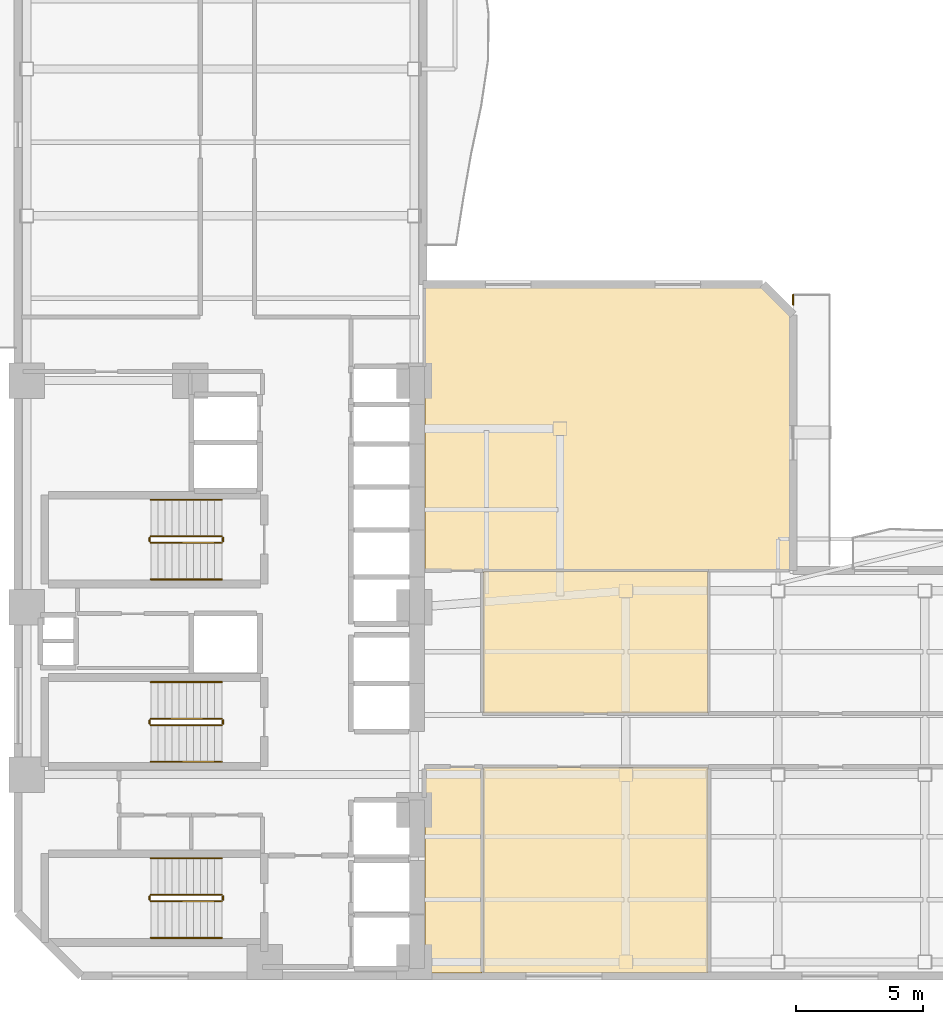
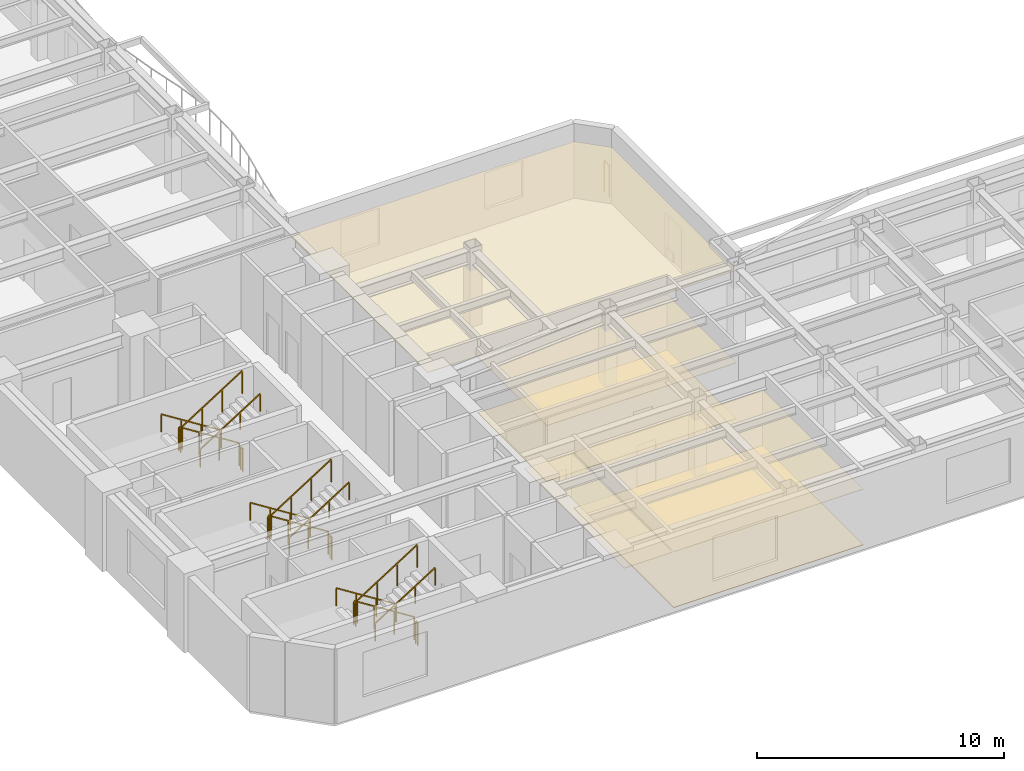
# One storey, part 8 of 10: 19 railings, 6 coverings.
"""IFC4 building model written with IfcOpenShell, lengths in metres."""

from ifc_helpers import new_model, si_unit, direction, frame, origin, origin_2d, place, context, subcontext, project, spatial, polyline, rectangle, outline, extrude, material, layer, layer_set, type_object, element, save


model = new_model("IFC4")

# Units and contexts
model_context = context("Model", 3, precision=1e-05, world=origin(), true_north=direction((0.0, 1.0)))
body_context = subcontext(model_context, "Body", "Model", "MODEL_VIEW")
ifc_project = project(units=[si_unit("LENGTHUNIT", "METRE"), si_unit("AREAUNIT", "SQUARE_METRE"), si_unit("VOLUMEUNIT", "CUBIC_METRE"), si_unit("PLANEANGLEUNIT", "RADIAN"), si_unit("MASSUNIT", "GRAM", prefix="KILO")], contexts=[model_context])

# Site, building, storey
site_placement = place(None, origin())
site = spatial("IfcSite", under=ifc_project, at=site_placement, CompositionType="ELEMENT")
building_placement = place(site_placement, origin())
building = spatial("IfcBuilding", under=site, at=building_placement, Name="Mawjaban Terraces University", CompositionType="ELEMENT")
storey_placement = place(building_placement, frame((0.0, 0.0, 50.5)))
storey = spatial("IfcBuildingStorey", under=building, at=storey_placement, Name="L11", CompositionType="ELEMENT", Elevation=50.5)

# Coverings
ifc_material_1 = material(Name="Acoustic mineral fibre ceiling tile", Category="masonry")
ifc_layer_1 = layer(ifc_material_1, 0.02001953125)
ifc_layer_set_1 = layer_set([ifc_layer_1], Name="Acoustic mineral fibre ceiling tile")
covering_type_1 = type_object("IfcCoveringType", Name="AcousticMineralCeiling_20", PredefinedType="CEILING", material=ifc_layer_set_1)
covering_1_placement = place(storey_placement, frame((0.0, 0.0, 2.75)))
element("IfcCovering", 1, at=covering_1_placement, inside=storey, type_object=covering_type_1, Name="L11 Media Workshop 1 Acoustic Ceiling", PredefinedType="CEILING", context=body_context, shape_type="SweptSolid", body=[
    extrude(outline(polyline([(38.080078125, 0.114990234375), (40.320068359375, 0.114990234375), (40.320068359375, 8.219970703125), (38.080078125, 8.219970703125), (38.080078125, 0.114990234375)])), origin(), (0.0, 0.0, 1.0), 0.02001953125),
])
covering_2_placement = place(storey_placement, frame((0.0, 0.0, 2.75)))
element("IfcCovering", 2, at=covering_2_placement, inside=storey, type_object=covering_type_1, Name="L11 Quiet Reading Room 2 Acoustic Ceiling", PredefinedType="CEILING", context=body_context, shape_type="SweptSolid", body=[
    extrude(outline(polyline([(40.3798828125, 0.114990234375), (49.23291015625, 0.114990234375), (49.23291015625, 8.219970703125), (40.3798828125, 8.219970703125), (40.3798828125, 0.114990234375)])), origin(), (0.0, 0.0, 1.0), 0.02001953125),
])
covering_3_placement = place(storey_placement, frame((0.0, 0.0, 2.75)))
element("IfcCovering", 3, at=covering_3_placement, inside=storey, type_object=covering_type_1, Name="L11 Reading Salon 3 Acoustic Ceiling", PredefinedType="CEILING", context=body_context, shape_type="SweptSolid", body=[
    extrude(outline(polyline([(49.23291015625, 10.3798828125), (49.23291015625, 15.969970703125), (40.3798828125, 15.969970703125), (40.3798828125, 10.3798828125), (49.23291015625, 10.3798828125)])), origin(), (0.0, 0.0, 1.0), 0.02001953125),
])
covering_4_placement = place(storey_placement, frame((0.0, 0.0, 2.75)))
element("IfcCovering", 4, at=covering_4_placement, inside=storey, type_object=covering_type_1, Name="L11 Terrace Collaborative Study Room Acoustic Ceiling", PredefinedType="CEILING", context=body_context, shape_type="SweptSolid", body=[
    extrude(outline(polyline([(52.485107421875, 16.030029296875), (52.485107421875, 26.048095703125), (51.35302734375, 27.179931640625), (38.080078125, 27.179931640625), (38.080078125, 16.030029296875), (52.485107421875, 16.030029296875)])), origin(), (0.0, 0.0, 1.0), 0.02001953125),
])

# Railings
ifc_material_2 = material(Name="Galvanised powder-coated steel S355", Category="steel")
railing_type_1 = type_object("IfcRailingType", Name="BalconyBalustrade_1600", PredefinedType="BALUSTRADE", material=ifc_material_2)
railing_1_placement = place(storey_placement, frame((52.60009765625, 26.89501953125, 0.0)))
element("IfcRailing", 5, at=railing_1_placement, inside=storey, type_object=railing_type_1, Name="L11 Terrace Guardrail TER-L11-CLIMB.3", PredefinedType="BALUSTRADE", context=body_context, shape_type="SweptSolid", body=[
    extrude(rectangle(XDim=0.048095703125, YDim=0.048095703125, at=origin_2d()), frame((0.0, 0.0, 1.576171875), z_axis=(0.0, -1.0, 0.0), x_axis=(1.0, 0.0, 0.0)), (0.0, 0.0, 1.0), 0.404052734375),
    extrude(rectangle(XDim=0.0419921875, YDim=0.0419921875, at=origin_2d()), origin(), (0.0, 0.0, 1.0), 1.552001953125),
    extrude(rectangle(XDim=0.0419921875, YDim=0.0419921875, at=origin_2d()), frame((0.0, -0.404052734375, 0.0)), (0.0, 0.0, 1.0), 1.552001953125),
])
ifc_material_3 = material(Name="Brushed stainless steel 316", Category="steel")
railing_type_2 = type_object("IfcRailingType", Name="StairWallHandrail_900", PredefinedType="HANDRAIL", material=ifc_material_3)
railing_2_placement = place(storey_placement, frame((30.050048828125, 4.64990234375, 0.17724609375)))
element("IfcRailing", 6, at=railing_2_placement, inside=storey, type_object=railing_type_2, Name="L11 ST-1 stair handrail 1", PredefinedType="HANDRAIL", context=body_context, shape_type="SweptSolid", body=[
    extrude(rectangle(XDim=0.048095703125, YDim=0.048095703125, at=origin_2d()), frame((0.0, 0.0, 0.8759765625), z_axis=(-0.844908973607, 0.0, 0.534910110503), x_axis=(0.0, -1.0, 0.0)), (0.0, 0.0, 1.0), 3.31396484375),
    extrude(rectangle(XDim=0.0419921875, YDim=0.0419921875, at=origin_2d()), origin(), (0.0, 0.0, 1.0), 0.851806640625),
    extrude(rectangle(XDim=0.0419921875, YDim=0.0419921875, at=origin_2d()), frame((-0.933349609375, 0.0, 0.5908203125)), (0.0, 0.0, 1.0), 0.851806640625),
    extrude(rectangle(XDim=0.0419921875, YDim=0.0419921875, at=origin_2d()), frame((-1.86669921875, 0.0, 1.181884765625)), (0.0, 0.0, 1.0), 0.851806640625),
    extrude(rectangle(XDim=0.0419921875, YDim=0.0419921875, at=origin_2d()), frame((-2.800048828125, 0.0, 1.772705078125)), (0.0, 0.0, 1.0), 0.851806640625),
])
railing_3_placement = place(storey_placement, frame((27.25, 1.5, 2.127197265625)))
element("IfcRailing", 7, at=railing_3_placement, inside=storey, type_object=railing_type_2, Name="L11 ST-1 stair handrail 2", PredefinedType="HANDRAIL", context=body_context, shape_type="SweptSolid", body=[
    extrude(rectangle(XDim=0.048095703125, YDim=0.048095703125, at=origin_2d()), frame((0.0, 0.0, 0.8759765625), z_axis=(0.844908973607, 0.0, 0.534910110503), x_axis=(0.0, 1.0, 0.0)), (0.0, 0.0, 1.0), 3.31396484375),
    extrude(rectangle(XDim=0.0419921875, YDim=0.0419921875, at=origin_2d()), origin(), (0.0, 0.0, 1.0), 0.851806640625),
    extrude(rectangle(XDim=0.0419921875, YDim=0.0419921875, at=origin_2d()), frame((0.933349609375, 0.0, 0.5908203125)), (0.0, 0.0, 1.0), 0.851806640625),
    extrude(rectangle(XDim=0.0419921875, YDim=0.0419921875, at=origin_2d()), frame((1.86669921875, 0.0, 1.181884765625)), (0.0, 0.0, 1.0), 0.851806640625),
    extrude(rectangle(XDim=0.0419921875, YDim=0.0419921875, at=origin_2d()), frame((2.800048828125, 0.0, 1.772705078125)), (0.0, 0.0, 1.0), 0.851806640625),
])
railing_4_placement = place(storey_placement, frame((30.050048828125, 18.800048828125, 0.17724609375)))
element("IfcRailing", 8, at=railing_4_placement, inside=storey, type_object=railing_type_2, Name="L11 ST-2 stair handrail 1", PredefinedType="HANDRAIL", context=body_context, shape_type="SweptSolid", body=[
    extrude(rectangle(XDim=0.048095703125, YDim=0.048095703125, at=origin_2d()), frame((0.0, 0.0, 0.8759765625), z_axis=(-0.844908973607, 0.0, 0.534910110503), x_axis=(0.0, -1.0, 0.0)), (0.0, 0.0, 1.0), 3.31396484375),
    extrude(rectangle(XDim=0.0419921875, YDim=0.0419921875, at=origin_2d()), origin(), (0.0, 0.0, 1.0), 0.851806640625),
    extrude(rectangle(XDim=0.0419921875, YDim=0.0419921875, at=origin_2d()), frame((-0.933349609375, 0.0, 0.5908203125)), (0.0, 0.0, 1.0), 0.851806640625),
    extrude(rectangle(XDim=0.0419921875, YDim=0.0419921875, at=origin_2d()), frame((-1.86669921875, 0.0, 1.181884765625)), (0.0, 0.0, 1.0), 0.851806640625),
    extrude(rectangle(XDim=0.0419921875, YDim=0.0419921875, at=origin_2d()), frame((-2.800048828125, 0.0, 1.772705078125)), (0.0, 0.0, 1.0), 0.851806640625),
])
railing_5_placement = place(storey_placement, frame((27.25, 15.64990234375, 2.127197265625)))
element("IfcRailing", 9, at=railing_5_placement, inside=storey, type_object=railing_type_2, Name="L11 ST-2 stair handrail 2", PredefinedType="HANDRAIL", context=body_context, shape_type="SweptSolid", body=[
    extrude(rectangle(XDim=0.048095703125, YDim=0.048095703125, at=origin_2d()), frame((0.0, 0.0, 0.8759765625), z_axis=(0.844908973607, 0.0, 0.534910110503), x_axis=(0.0, 1.0, 0.0)), (0.0, 0.0, 1.0), 3.31396484375),
    extrude(rectangle(XDim=0.0419921875, YDim=0.0419921875, at=origin_2d()), origin(), (0.0, 0.0, 1.0), 0.851806640625),
    extrude(rectangle(XDim=0.0419921875, YDim=0.0419921875, at=origin_2d()), frame((0.933349609375, 0.0, 0.5908203125)), (0.0, 0.0, 1.0), 0.851806640625),
    extrude(rectangle(XDim=0.0419921875, YDim=0.0419921875, at=origin_2d()), frame((1.86669921875, 0.0, 1.181884765625)), (0.0, 0.0, 1.0), 0.851806640625),
    extrude(rectangle(XDim=0.0419921875, YDim=0.0419921875, at=origin_2d()), frame((2.800048828125, 0.0, 1.772705078125)), (0.0, 0.0, 1.0), 0.851806640625),
])
railing_6_placement = place(storey_placement, frame((30.050048828125, 11.60009765625, 0.17724609375)))
element("IfcRailing", 10, at=railing_6_placement, inside=storey, type_object=railing_type_2, Name="L11 ST-3 stair handrail 1", PredefinedType="HANDRAIL", context=body_context, shape_type="SweptSolid", body=[
    extrude(rectangle(XDim=0.048095703125, YDim=0.048095703125, at=origin_2d()), frame((0.0, 0.0, 0.8759765625), z_axis=(-0.844908973607, 0.0, 0.534910110503), x_axis=(0.0, -1.0, 0.0)), (0.0, 0.0, 1.0), 3.31396484375),
    extrude(rectangle(XDim=0.0419921875, YDim=0.0419921875, at=origin_2d()), origin(), (0.0, 0.0, 1.0), 0.851806640625),
    extrude(rectangle(XDim=0.0419921875, YDim=0.0419921875, at=origin_2d()), frame((-0.933349609375, 0.0, 0.5908203125)), (0.0, 0.0, 1.0), 0.851806640625),
    extrude(rectangle(XDim=0.0419921875, YDim=0.0419921875, at=origin_2d()), frame((-1.86669921875, 0.0, 1.181884765625)), (0.0, 0.0, 1.0), 0.851806640625),
    extrude(rectangle(XDim=0.0419921875, YDim=0.0419921875, at=origin_2d()), frame((-2.800048828125, 0.0, 1.772705078125)), (0.0, 0.0, 1.0), 0.851806640625),
])
railing_7_placement = place(storey_placement, frame((27.25, 8.449951171875, 2.127197265625)))
element("IfcRailing", 11, at=railing_7_placement, inside=storey, type_object=railing_type_2, Name="L11 ST-3 stair handrail 2", PredefinedType="HANDRAIL", context=body_context, shape_type="SweptSolid", body=[
    extrude(rectangle(XDim=0.048095703125, YDim=0.048095703125, at=origin_2d()), frame((0.0, 0.0, 0.8759765625), z_axis=(0.844908973607, 0.0, 0.534910110503), x_axis=(0.0, 1.0, 0.0)), (0.0, 0.0, 1.0), 3.31396484375),
    extrude(rectangle(XDim=0.0419921875, YDim=0.0419921875, at=origin_2d()), origin(), (0.0, 0.0, 1.0), 0.851806640625),
    extrude(rectangle(XDim=0.0419921875, YDim=0.0419921875, at=origin_2d()), frame((0.933349609375, 0.0, 0.5908203125)), (0.0, 0.0, 1.0), 0.851806640625),
    extrude(rectangle(XDim=0.0419921875, YDim=0.0419921875, at=origin_2d()), frame((1.86669921875, 0.0, 1.181884765625)), (0.0, 0.0, 1.0), 0.851806640625),
    extrude(rectangle(XDim=0.0419921875, YDim=0.0419921875, at=origin_2d()), frame((2.800048828125, 0.0, 1.772705078125)), (0.0, 0.0, 1.0), 0.851806640625),
])
ifc_material_4 = material(Name="Galvanised painted steel S355", Category="steel")
railing_type_3 = type_object("IfcRailingType", Name="StairWellGuard_1150", PredefinedType="BALUSTRADE", material=ifc_material_4)
railing_8_placement = place(storey_placement, frame((30.050048828125, 3.199951171875, 0.17724609375)))
element("IfcRailing", 12, at=railing_8_placement, inside=storey, type_object=railing_type_3, Name="L11 ST-1 stair guard 1", PredefinedType="BALUSTRADE", context=body_context, shape_type="SweptSolid", body=[
    extrude(rectangle(XDim=0.048095703125, YDim=0.048095703125, at=origin_2d()), frame((0.0, 0.0, 1.1259765625), z_axis=(-0.844908973607, 0.0, 0.534910110503), x_axis=(0.0, -1.0, 0.0)), (0.0, 0.0, 1.0), 3.31396484375),
    extrude(rectangle(XDim=0.0419921875, YDim=0.0419921875, at=origin_2d()), origin(), (0.0, 0.0, 1.0), 1.101806640625),
    extrude(rectangle(XDim=0.0419921875, YDim=0.0419921875, at=origin_2d()), frame((-0.933349609375, 0.0, 0.5908203125)), (0.0, 0.0, 1.0), 1.101806640625),
    extrude(rectangle(XDim=0.0419921875, YDim=0.0419921875, at=origin_2d()), frame((-1.86669921875, 0.0, 1.181884765625)), (0.0, 0.0, 1.0), 1.101806640625),
    extrude(rectangle(XDim=0.0419921875, YDim=0.0419921875, at=origin_2d()), frame((-2.800048828125, 0.0, 1.772705078125)), (0.0, 0.0, 1.0), 1.101806640625),
])
railing_9_placement = place(storey_placement, frame((27.199951171875, 3.14990234375, 1.949951171875)))
element("IfcRailing", 13, at=railing_9_placement, inside=storey, type_object=railing_type_3, Name="L11 ST-1 stair guard 2", PredefinedType="BALUSTRADE", context=body_context, shape_type="SweptSolid", body=[
    extrude(rectangle(XDim=0.048095703125, YDim=0.048095703125, at=origin_2d()), frame((0.0, 0.0, 1.1259765625), z_axis=(0.0, -1.0, 0.0), x_axis=(1.0, 0.0, 0.0)), (0.0, 0.0, 1.0), 0.14990234375),
    extrude(rectangle(XDim=0.0419921875, YDim=0.0419921875, at=origin_2d()), origin(), (0.0, 0.0, 1.0), 1.101806640625),
    extrude(rectangle(XDim=0.0419921875, YDim=0.0419921875, at=origin_2d()), frame((0.0, -0.14990234375, 0.0)), (0.0, 0.0, 1.0), 1.101806640625),
])
railing_10_placement = place(storey_placement, frame((27.25, 2.949951171875, 2.127197265625)))
element("IfcRailing", 14, at=railing_10_placement, inside=storey, type_object=railing_type_3, Name="L11 ST-1 stair guard 3", PredefinedType="BALUSTRADE", context=body_context, shape_type="SweptSolid", body=[
    extrude(rectangle(XDim=0.048095703125, YDim=0.048095703125, at=origin_2d()), frame((0.0, 0.0, 1.1259765625), z_axis=(0.844908973607, 0.0, 0.534910110503), x_axis=(0.0, 1.0, 0.0)), (0.0, 0.0, 1.0), 3.31396484375),
    extrude(rectangle(XDim=0.0419921875, YDim=0.0419921875, at=origin_2d()), origin(), (0.0, 0.0, 1.0), 1.101806640625),
    extrude(rectangle(XDim=0.0419921875, YDim=0.0419921875, at=origin_2d()), frame((0.933349609375, 0.0, 0.5908203125)), (0.0, 0.0, 1.0), 1.101806640625),
    extrude(rectangle(XDim=0.0419921875, YDim=0.0419921875, at=origin_2d()), frame((1.86669921875, 0.0, 1.181884765625)), (0.0, 0.0, 1.0), 1.101806640625),
    extrude(rectangle(XDim=0.0419921875, YDim=0.0419921875, at=origin_2d()), frame((2.800048828125, 0.0, 1.772705078125)), (0.0, 0.0, 1.0), 1.101806640625),
])
railing_11_placement = place(storey_placement, frame((30.10009765625, 3.14990234375, 0.0)))
element("IfcRailing", 15, at=railing_11_placement, inside=storey, type_object=railing_type_3, Name="L11 ST-1 stair guard 4", PredefinedType="BALUSTRADE", context=body_context, shape_type="SweptSolid", body=[
    extrude(rectangle(XDim=0.048095703125, YDim=0.048095703125, at=origin_2d()), frame((0.0, 0.0, 1.1259765625), z_axis=(0.0, -1.0, 0.0), x_axis=(1.0, 0.0, 0.0)), (0.0, 0.0, 1.0), 0.14990234375),
    extrude(rectangle(XDim=0.0419921875, YDim=0.0419921875, at=origin_2d()), origin(), (0.0, 0.0, 1.0), 1.101806640625),
    extrude(rectangle(XDim=0.0419921875, YDim=0.0419921875, at=origin_2d()), frame((0.0, -0.14990234375, 0.0)), (0.0, 0.0, 1.0), 1.101806640625),
])
railing_12_placement = place(storey_placement, frame((30.050048828125, 17.35009765625, 0.17724609375)))
element("IfcRailing", 16, at=railing_12_placement, inside=storey, type_object=railing_type_3, Name="L11 ST-2 stair guard 1", PredefinedType="BALUSTRADE", context=body_context, shape_type="SweptSolid", body=[
    extrude(rectangle(XDim=0.048095703125, YDim=0.048095703125, at=origin_2d()), frame((0.0, 0.0, 1.1259765625), z_axis=(-0.844908973607, 0.0, 0.534910110503), x_axis=(0.0, -1.0, 0.0)), (0.0, 0.0, 1.0), 3.31396484375),
    extrude(rectangle(XDim=0.0419921875, YDim=0.0419921875, at=origin_2d()), origin(), (0.0, 0.0, 1.0), 1.101806640625),
    extrude(rectangle(XDim=0.0419921875, YDim=0.0419921875, at=origin_2d()), frame((-0.933349609375, 0.0, 0.5908203125)), (0.0, 0.0, 1.0), 1.101806640625),
    extrude(rectangle(XDim=0.0419921875, YDim=0.0419921875, at=origin_2d()), frame((-1.86669921875, 0.0, 1.181884765625)), (0.0, 0.0, 1.0), 1.101806640625),
    extrude(rectangle(XDim=0.0419921875, YDim=0.0419921875, at=origin_2d()), frame((-2.800048828125, 0.0, 1.772705078125)), (0.0, 0.0, 1.0), 1.101806640625),
])
railing_13_placement = place(storey_placement, frame((27.199951171875, 17.300048828125, 1.949951171875)))
element("IfcRailing", 17, at=railing_13_placement, inside=storey, type_object=railing_type_3, Name="L11 ST-2 stair guard 2", PredefinedType="BALUSTRADE", context=body_context, shape_type="SweptSolid", body=[
    extrude(rectangle(XDim=0.048095703125, YDim=0.048095703125, at=origin_2d()), frame((0.0, 0.0, 1.1259765625), z_axis=(0.0, -1.0, 0.0), x_axis=(1.0, 0.0, 0.0)), (0.0, 0.0, 1.0), 0.150146484375),
    extrude(rectangle(XDim=0.0419921875, YDim=0.0419921875, at=origin_2d()), origin(), (0.0, 0.0, 1.0), 1.101806640625),
    extrude(rectangle(XDim=0.0419921875, YDim=0.0419921875, at=origin_2d()), frame((0.0, -0.150146484375, 0.0)), (0.0, 0.0, 1.0), 1.101806640625),
])
railing_14_placement = place(storey_placement, frame((27.25, 17.10009765625, 2.127197265625)))
element("IfcRailing", 18, at=railing_14_placement, inside=storey, type_object=railing_type_3, Name="L11 ST-2 stair guard 3", PredefinedType="BALUSTRADE", context=body_context, shape_type="SweptSolid", body=[
    extrude(rectangle(XDim=0.048095703125, YDim=0.048095703125, at=origin_2d()), frame((0.0, 0.0, 1.1259765625), z_axis=(0.844908973607, 0.0, 0.534910110503), x_axis=(0.0, 1.0, 0.0)), (0.0, 0.0, 1.0), 3.31396484375),
    extrude(rectangle(XDim=0.0419921875, YDim=0.0419921875, at=origin_2d()), origin(), (0.0, 0.0, 1.0), 1.101806640625),
    extrude(rectangle(XDim=0.0419921875, YDim=0.0419921875, at=origin_2d()), frame((0.933349609375, 0.0, 0.5908203125)), (0.0, 0.0, 1.0), 1.101806640625),
    extrude(rectangle(XDim=0.0419921875, YDim=0.0419921875, at=origin_2d()), frame((1.86669921875, 0.0, 1.181884765625)), (0.0, 0.0, 1.0), 1.101806640625),
    extrude(rectangle(XDim=0.0419921875, YDim=0.0419921875, at=origin_2d()), frame((2.800048828125, 0.0, 1.772705078125)), (0.0, 0.0, 1.0), 1.101806640625),
])
railing_15_placement = place(storey_placement, frame((30.10009765625, 17.300048828125, 0.0)))
element("IfcRailing", 19, at=railing_15_placement, inside=storey, type_object=railing_type_3, Name="L11 ST-2 stair guard 4", PredefinedType="BALUSTRADE", context=body_context, shape_type="SweptSolid", body=[
    extrude(rectangle(XDim=0.048095703125, YDim=0.048095703125, at=origin_2d()), frame((0.0, 0.0, 1.1259765625), z_axis=(0.0, -1.0, 0.0), x_axis=(1.0, 0.0, 0.0)), (0.0, 0.0, 1.0), 0.150146484375),
    extrude(rectangle(XDim=0.0419921875, YDim=0.0419921875, at=origin_2d()), origin(), (0.0, 0.0, 1.0), 1.101806640625),
    extrude(rectangle(XDim=0.0419921875, YDim=0.0419921875, at=origin_2d()), frame((0.0, -0.150146484375, 0.0)), (0.0, 0.0, 1.0), 1.101806640625),
])
railing_16_placement = place(storey_placement, frame((30.050048828125, 10.14990234375, 0.17724609375)))
element("IfcRailing", 20, at=railing_16_placement, inside=storey, type_object=railing_type_3, Name="L11 ST-3 stair guard 1", PredefinedType="BALUSTRADE", context=body_context, shape_type="SweptSolid", body=[
    extrude(rectangle(XDim=0.048095703125, YDim=0.048095703125, at=origin_2d()), frame((0.0, 0.0, 1.1259765625), z_axis=(-0.844908973607, 0.0, 0.534910110503), x_axis=(0.0, -1.0, 0.0)), (0.0, 0.0, 1.0), 3.31396484375),
    extrude(rectangle(XDim=0.0419921875, YDim=0.0419921875, at=origin_2d()), origin(), (0.0, 0.0, 1.0), 1.101806640625),
    extrude(rectangle(XDim=0.0419921875, YDim=0.0419921875, at=origin_2d()), frame((-0.933349609375, 0.0, 0.5908203125)), (0.0, 0.0, 1.0), 1.101806640625),
    extrude(rectangle(XDim=0.0419921875, YDim=0.0419921875, at=origin_2d()), frame((-1.86669921875, 0.0, 1.181884765625)), (0.0, 0.0, 1.0), 1.101806640625),
    extrude(rectangle(XDim=0.0419921875, YDim=0.0419921875, at=origin_2d()), frame((-2.800048828125, 0.0, 1.772705078125)), (0.0, 0.0, 1.0), 1.101806640625),
])
railing_17_placement = place(storey_placement, frame((27.199951171875, 10.10009765625, 1.949951171875)))
element("IfcRailing", 21, at=railing_17_placement, inside=storey, type_object=railing_type_3, Name="L11 ST-3 stair guard 2", PredefinedType="BALUSTRADE", context=body_context, shape_type="SweptSolid", body=[
    extrude(rectangle(XDim=0.048095703125, YDim=0.048095703125, at=origin_2d()), frame((0.0, 0.0, 1.1259765625), z_axis=(0.0, -1.0, 0.0), x_axis=(1.0, 0.0, 0.0)), (0.0, 0.0, 1.0), 0.150146484375),
    extrude(rectangle(XDim=0.0419921875, YDim=0.0419921875, at=origin_2d()), origin(), (0.0, 0.0, 1.0), 1.101806640625),
    extrude(rectangle(XDim=0.0419921875, YDim=0.0419921875, at=origin_2d()), frame((0.0, -0.150146484375, 0.0)), (0.0, 0.0, 1.0), 1.101806640625),
])
railing_18_placement = place(storey_placement, frame((27.25, 9.89990234375, 2.127197265625)))
element("IfcRailing", 22, at=railing_18_placement, inside=storey, type_object=railing_type_3, Name="L11 ST-3 stair guard 3", PredefinedType="BALUSTRADE", context=body_context, shape_type="SweptSolid", body=[
    extrude(rectangle(XDim=0.048095703125, YDim=0.048095703125, at=origin_2d()), frame((0.0, 0.0, 1.1259765625), z_axis=(0.844908973607, 0.0, 0.534910110503), x_axis=(0.0, 1.0, 0.0)), (0.0, 0.0, 1.0), 3.31396484375),
    extrude(rectangle(XDim=0.0419921875, YDim=0.0419921875, at=origin_2d()), origin(), (0.0, 0.0, 1.0), 1.101806640625),
    extrude(rectangle(XDim=0.0419921875, YDim=0.0419921875, at=origin_2d()), frame((0.933349609375, 0.0, 0.5908203125)), (0.0, 0.0, 1.0), 1.101806640625),
    extrude(rectangle(XDim=0.0419921875, YDim=0.0419921875, at=origin_2d()), frame((1.86669921875, 0.0, 1.181884765625)), (0.0, 0.0, 1.0), 1.101806640625),
    extrude(rectangle(XDim=0.0419921875, YDim=0.0419921875, at=origin_2d()), frame((2.800048828125, 0.0, 1.772705078125)), (0.0, 0.0, 1.0), 1.101806640625),
])
railing_19_placement = place(storey_placement, frame((30.10009765625, 10.10009765625, 0.0)))
element("IfcRailing", 23, at=railing_19_placement, inside=storey, type_object=railing_type_3, Name="L11 ST-3 stair guard 4", PredefinedType="BALUSTRADE", context=body_context, shape_type="SweptSolid", body=[
    extrude(rectangle(XDim=0.048095703125, YDim=0.048095703125, at=origin_2d()), frame((0.0, 0.0, 1.1259765625), z_axis=(0.0, -1.0, 0.0), x_axis=(1.0, 0.0, 0.0)), (0.0, 0.0, 1.0), 0.150146484375),
    extrude(rectangle(XDim=0.0419921875, YDim=0.0419921875, at=origin_2d()), origin(), (0.0, 0.0, 1.0), 1.101806640625),
    extrude(rectangle(XDim=0.0419921875, YDim=0.0419921875, at=origin_2d()), frame((0.0, -0.150146484375, 0.0)), (0.0, 0.0, 1.0), 1.101806640625),
])

# Coverings
ifc_material_5 = material(Name="Polished Hijazi granite terrazzo flooring", Category="masonry")
ifc_layer_2 = layer(ifc_material_5, 0.02490234375)
ifc_layer_set_2 = layer_set([ifc_layer_2], Name="Polished Hijazi granite terrazzo flooring")
covering_type_2 = type_object("IfcCoveringType", Name="TerrazzoConcourseFlooring_25", PredefinedType="FLOORING", material=ifc_layer_set_2)
covering_5_placement = place(storey_placement, origin())
element("IfcCovering", 24, at=covering_5_placement, inside=storey, type_object=covering_type_2, Name="L11 Quiet Reading Room 2 Terrazzo Flooring", PredefinedType="FLOORING", context=body_context, shape_type="SweptSolid", body=[
    extrude(outline(polyline([(40.3798828125, 0.114990234375), (49.23291015625, 0.114990234375), (49.23291015625, 8.219970703125), (40.3798828125, 8.219970703125), (40.3798828125, 0.114990234375)])), origin(), (0.0, 0.0, 1.0), 0.02490234375),
])
covering_6_placement = place(storey_placement, origin())
element("IfcCovering", 25, at=covering_6_placement, inside=storey, type_object=covering_type_2, Name="L11 Reading Salon 3 Terrazzo Flooring", PredefinedType="FLOORING", context=body_context, shape_type="SweptSolid", body=[
    extrude(outline(polyline([(49.23291015625, 10.3798828125), (49.23291015625, 15.969970703125), (40.3798828125, 15.969970703125), (40.3798828125, 10.3798828125), (49.23291015625, 10.3798828125)])), origin(), (0.0, 0.0, 1.0), 0.02490234375),
])

save(model, "model.ifc")
